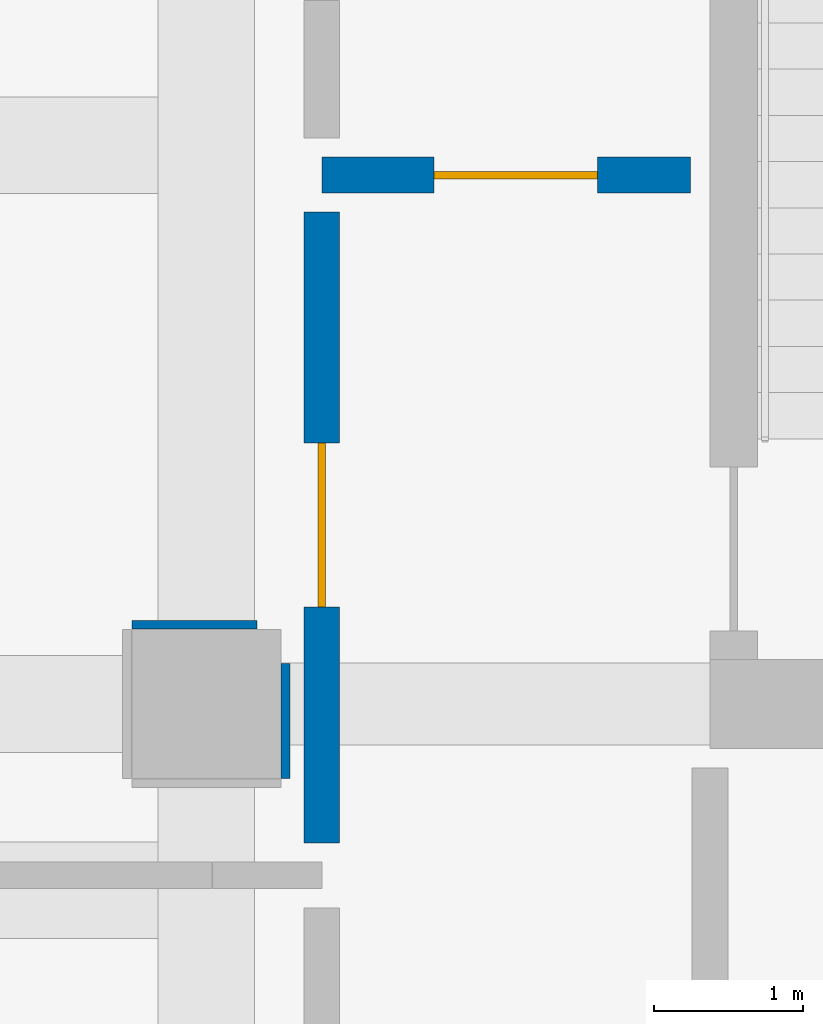
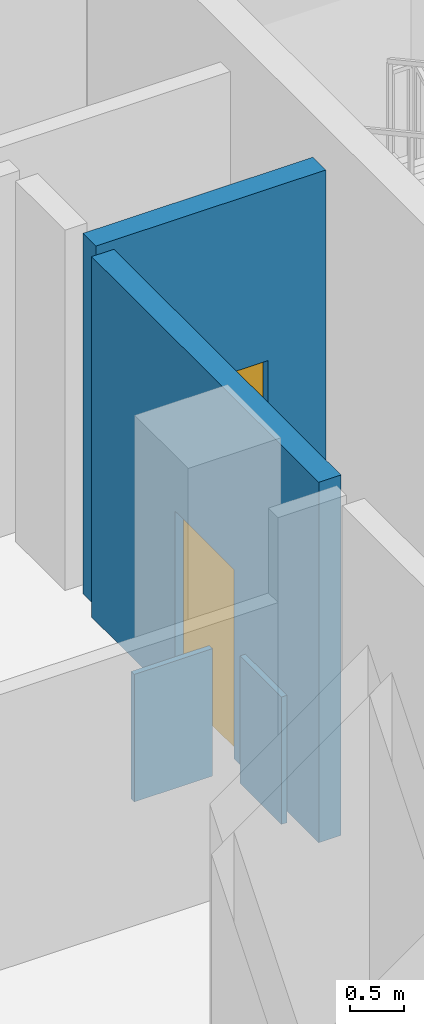
# One storey, part 4 of 15: 4 walls, 2 doors, 2 openings.
"""IFC4 building model written with IfcOpenShell, lengths in metres."""

from ifc_helpers import new_model, si_unit, direction, frame, frame_2d, origin, place, context, subcontext, project, spatial, rectangle, extrude, material, layer, layer_set, type_object, element, fill, save


model = new_model("IFC4")

# Units and contexts
model_context = context("Model", 3, precision=1e-05, world=origin(), true_north=direction((0.0, 1.0)))
body_context = subcontext(model_context, "Body", "Model", "MODEL_VIEW")
ifc_project = project(units=[si_unit("LENGTHUNIT", "METRE"), si_unit("AREAUNIT", "SQUARE_METRE"), si_unit("VOLUMEUNIT", "CUBIC_METRE"), si_unit("PLANEANGLEUNIT", "RADIAN"), si_unit("MASSUNIT", "GRAM", prefix="KILO")], contexts=[model_context])

# Site, building, storey
site_placement = place(None, origin())
site = spatial("IfcSite", under=ifc_project, at=site_placement, CompositionType="ELEMENT")
building_placement = place(site_placement, origin())
building = spatial("IfcBuilding", under=site, at=building_placement, Name="Solanera Arch Residences", CompositionType="ELEMENT")
storey_placement = place(building_placement, frame((0.0, 0.0, -8.800048828125)))
storey = spatial("IfcBuildingStorey", under=building, at=storey_placement, Name="B02", CompositionType="ELEMENT", Elevation=-8.800048828125)

# Walls
ifc_material_1 = material(Name="Fire-Rated Gypsum Stud Partition", Category="gypsum")
ifc_layer_1 = layer(ifc_material_1, 0.06005859375)
ifc_layer_set_1 = layer_set([ifc_layer_1], Name="Fire-Rated Gypsum Stud Partition")
wall_type_1 = type_object("IfcWallType", Name="Column Acoustic Furring Wall 60", PredefinedType="PARTITIONING", material=ifc_layer_set_1)
wall_1_placement = place(storey_placement, frame((28.699951171875, 31.23193359375, 0.0), z_axis=(0.0, 0.0, 1.0), x_axis=(1.0, 0.0, 0.0)))
element("IfcWall", 1, at=wall_1_placement, inside=storey, type_object=wall_type_1, Name="B02 Column Furring 8N", PredefinedType="PARTITIONING", context=body_context, shape_type="SweptSolid", body=[
    extrude(rectangle(XDim=0.841064453125, YDim=0.06005859375, at=frame_2d((0.42041015625, 0.0))), origin(), (0.0, 0.0, 1.0), 1.449951171875),
])
wall_2_placement = place(storey_placement, frame((29.73193359375, 30.199951171875, 0.0), z_axis=(0.0, 0.0, 1.0), x_axis=(0.0, 1.0, 0.0)))
element("IfcWall", 2, at=wall_2_placement, inside=storey, type_object=wall_type_1, Name="B02 Column Furring 8E", PredefinedType="PARTITIONING", context=body_context, shape_type="SweptSolid", body=[
    extrude(rectangle(XDim=0.77197265625, YDim=0.06005859375, at=frame_2d((0.385986328125, 0.0))), origin(), (0.0, 0.0, 1.0), 1.449951171875),
])

# Wall, opening, door
ifc_material_2 = material(Name="Autoclaved Aerated Concrete Blockwork", Category="masonry")
ifc_layer_2 = layer(ifc_material_2, 0.239990234375)
ifc_layer_set_2 = layer_set([ifc_layer_2], Name="Autoclaved Aerated Concrete Blockwork")
wall_type_2 = type_object("IfcWallType", Name="Shaft Wall Fire-Rated 240", PredefinedType="PARTITIONING", material=ifc_layer_set_2)
wall_3_placement = place(storey_placement, frame((29.97509765625, 34.25, 0.0), z_axis=(0.0, 0.0, 1.0), x_axis=(1.0, 0.0, 0.0)))
wall_3 = element("IfcWall", 3, at=wall_3_placement, inside=storey, type_object=wall_type_2, Name="B02 Interior Partition H6", PredefinedType="PARTITIONING", context=body_context, shape_type="SweptSolid", body=[
    extrude(rectangle(XDim=2.474853515625, YDim=0.239990234375, at=frame_2d((1.2373046875, 0.0))), origin(), (0.0, 0.0, 1.0), 4.10009765625),
])
opening_1_placement = place(wall_3_placement, frame((0.751953125, 0.0, 0.0)))
opening_1 = element("IfcOpeningElement", 4, at=opening_1_placement, cuts=wall_3, Name="Opening DF-02", PredefinedType="OPENING", context=body_context, shape_type="SweptSolid", body=[
    extrude(rectangle(XDim=1.10009765625, YDim=2.14990234375, at=frame_2d((0.550048828125, 1.074951171875))), frame((0.0, 0.1298828125, 0.0), z_axis=(0.0, -1.0, 0.0), x_axis=(1.0, 0.0, 0.0)), (0.0, 0.0, 1.0), 0.26),
])
ifc_material_3 = material(Name="Fire-Rated Architectural Hardwood", Category="wood")
door_type = type_object("IfcDoorType", Name="Firefighting Lobby Fire Door DF-02", OperationType="NOTDEFINED", PredefinedType="DOOR", material=ifc_material_3)
door_1_placement = place(opening_1_placement, origin())
door_1 = element("IfcDoor", 5, at=door_1_placement, inside=storey, type_object=door_type, Name="DR-B02-IN-012", OperationType="SINGLE_SWING_LEFT", OverallHeight=2.14990234375, OverallWidth=1.10009765625, PredefinedType="DOOR", context=body_context, shape_type="SweptSolid", body=[
    extrude(rectangle(XDim=1.10009765625, YDim=2.14990234375, at=frame_2d((0.550048828125, 1.074951171875))), frame((0.0, 0.02490234375, 0.0), z_axis=(0.0, -1.0, 0.0), x_axis=(1.0, 0.0, 0.0)), (0.0, 0.0, 1.0), 0.050048828125),
])
fill(opening_1, door_1)

wall_4_placement = place(storey_placement, frame((29.97509765625, 29.76806640625, 0.0), z_axis=(0.0, 0.0, 1.0), x_axis=(0.0, 1.0, 0.0)))
wall_4 = element("IfcWall", 6, at=wall_4_placement, inside=storey, type_object=wall_type_2, Name="B02 Interior Partition V4 2", PredefinedType="PARTITIONING", context=body_context, shape_type="SweptSolid", body=[
    extrude(rectangle(XDim=4.23388671875, YDim=0.239990234375, at=frame_2d((2.116943359375, 0.0))), origin(), (0.0, 0.0, 1.0), 4.10009765625),
])
opening_2_placement = place(wall_4_placement, frame((1.58203125, 0.0, 0.0)))
opening_2 = element("IfcOpeningElement", 7, at=opening_2_placement, cuts=wall_4, Name="Opening DF-02", PredefinedType="OPENING", context=body_context, shape_type="SweptSolid", body=[
    extrude(rectangle(XDim=1.10009765625, YDim=2.14990234375, at=frame_2d((0.550048828125, 1.074951171875))), frame((0.0, 0.1298828125, 0.0), z_axis=(0.0, -1.0, 0.0), x_axis=(1.0, 0.0, 0.0)), (0.0, 0.0, 1.0), 0.26),
])
door_2_placement = place(opening_2_placement, origin())
door_2 = element("IfcDoor", 8, at=door_2_placement, inside=storey, type_object=door_type, Name="DR-B02-IN-011", OperationType="SINGLE_SWING_RIGHT", OverallHeight=2.14990234375, OverallWidth=1.10009765625, PredefinedType="DOOR", context=body_context, shape_type="SweptSolid", body=[
    extrude(rectangle(XDim=1.10009765625, YDim=2.14990234375, at=frame_2d((0.550048828125, 1.074951171875))), frame((0.0, 0.02490234375, 0.0), z_axis=(0.0, -1.0, 0.0), x_axis=(1.0, 0.0, 0.0)), (0.0, 0.0, 1.0), 0.050048828125),
])
fill(opening_2, door_2)

save(model, "model.ifc")
